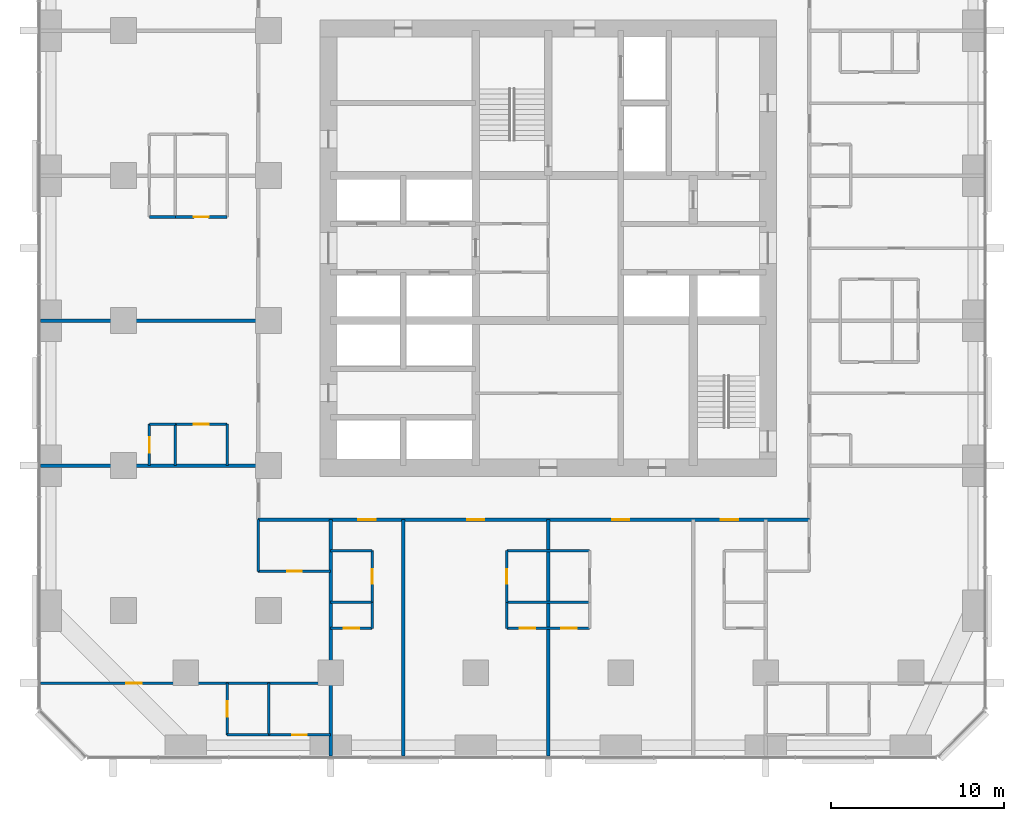
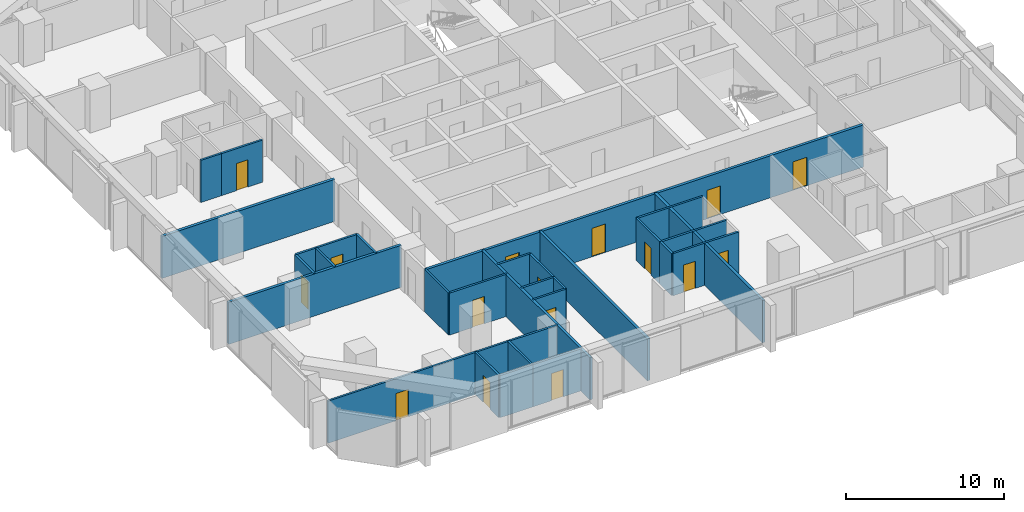
# One storey, part 8 of 14: 30 walls, 16 doors, 16 openings.
"""IFC4 building model written with IfcOpenShell, lengths in metres."""

import ifcopenshell
import ifcopenshell.guid

model = None  # the IFC model being written
_history = None  # IfcOwnerHistory: only IFC2X3 demands one
_inside = {}  # id of a spatial element -> (the spatial element, [elements in it])
_under = {}  # id of a project, library or spatial element -> (it, [spatial elements below it])
_declared = {}  # id of a project -> (the project, [libraries it declares])
_typed = {}  # id of a type object -> (the type object, [elements of that type])
_made_of = {}  # id of a material, layer set ... -> (it, [elements and type objects made of it])


def new_model(schema):
    """Start an empty IFC model of exactly this schema.

    Asked for "IFC4X3", IfcOpenShell would pick the latest addendum, in which some entities
    have other attributes; the version numbers below select the first issue.
    IFC2X3 requires an IfcOwnerHistory on every rooted entity: one is made here for all.
    """
    global model, _history
    if schema == "IFC4X3":
        model = ifcopenshell.file(schema_version=(4, 3, 0, 0))
    else:
        model = ifcopenshell.file(schema=schema)
    _inside.clear()
    _under.clear()
    _declared.clear()
    _typed.clear()
    _made_of.clear()
    _history = None
    if model.schema == "IFC2X3":
        org = make("IfcOrganization", Name="unknown")
        user = make(
            "IfcPersonAndOrganization",
            ThePerson=make("IfcPerson", FamilyName="unknown"),
            TheOrganization=org,
        )
        app = make(
            "IfcApplication",
            ApplicationDeveloper=org,
            Version="unknown",
            ApplicationFullName="unknown",
            ApplicationIdentifier="unknown",
        )
        _history = make(
            "IfcOwnerHistory",
            OwningUser=user,
            OwningApplication=app,
            ChangeAction="ADDED",
            CreationDate=0,
        )
    return model


def make(cls, **values):
    """One entity of the class cls with the attributes given. An attribute that is None is left unset."""
    return model.create_entity(
        cls, **{name: value for name, value in values.items() if value is not None}
    )


def rooted(cls, **values):
    """An entity with a GlobalId (a new one), such as an element, a storey or a relation."""
    return make(cls, GlobalId=ifcopenshell.guid.new(), OwnerHistory=_history, **values)


def si_unit(unit_type, name, prefix=None):
    """IfcSIUnit, for example si_unit("LENGTHUNIT", "METRE", prefix="MILLI")."""
    return make("IfcSIUnit", UnitType=unit_type, Prefix=prefix, Name=name)


def assignment(units):
    """IfcUnitAssignment: the units of a project."""
    return None if units is None else make("IfcUnitAssignment", Units=units)


def point(xyz):
    """IfcCartesianPoint."""
    return None if xyz is None else make("IfcCartesianPoint", Coordinates=xyz)


def direction(xyz):
    """IfcDirection."""
    return None if xyz is None else make("IfcDirection", DirectionRatios=xyz)


def frame(location, z_axis=None, x_axis=None):
    """IfcAxis2Placement3D, a coordinate frame: its origin and axes. An axis left out is left unset."""
    return make(
        "IfcAxis2Placement3D",
        Location=point(location),
        Axis=direction(z_axis),
        RefDirection=direction(x_axis),
    )


def frame_2d(location, x_axis=None):
    """IfcAxis2Placement2D, a coordinate frame in the plane: its origin and x axis."""
    return make(
        "IfcAxis2Placement2D", Location=point(location), RefDirection=direction(x_axis)
    )


def origin():
    """The frame at (0, 0, 0) with its axes left unset."""
    return frame((0.0, 0.0, 0.0))


def place(relative_to, where):
    """IfcLocalPlacement: puts the frame where relative to a parent placement (None: the world)."""
    return make(
        "IfcLocalPlacement", PlacementRelTo=relative_to, RelativePlacement=where
    )


def context(
    kind, dimensions, precision=None, world=None, true_north=None, identifier=None
):
    """IfcGeometricRepresentationContext, for example the 3D "Model" context."""
    return make(
        "IfcGeometricRepresentationContext",
        ContextIdentifier=identifier,
        ContextType=kind,
        CoordinateSpaceDimension=dimensions,
        Precision=precision,
        WorldCoordinateSystem=world,
        TrueNorth=true_north,
    )


def subcontext(parent, identifier, kind, view, scale=None):
    """IfcGeometricRepresentationSubContext, for example "Body" below "Model"."""
    return make(
        "IfcGeometricRepresentationSubContext",
        ContextIdentifier=identifier,
        ContextType=kind,
        ParentContext=parent,
        TargetScale=scale,
        TargetView=view,
    )


def project(units=None, contexts=None):
    """IfcProject with its units and contexts."""
    return rooted(
        "IfcProject",
        Name="project",
        RepresentationContexts=contexts,
        UnitsInContext=assignment(units),
    )


def spatial(cls, under=None, at=None, **own):
    """A site, building, storey or space (cls), placed at a placement, below another one or the project."""
    s = rooted(cls, ObjectPlacement=at, **own)
    if under is not None:
        _under.setdefault(under.id(), (under, []))[1].append(s)
    return s


def profile(cls, at=None, kind="AREA", **sizes):
    """A parametric profile (cls). Its sizes go by their IFC names, for example OverallWidth=200.0."""
    return make(cls, ProfileType=kind, Position=at, **sizes)


def rectangle(**sizes):
    """IfcRectangleProfileDef."""
    return profile("IfcRectangleProfileDef", **sizes)


def extrude(swept, where, along, depth):
    """IfcExtrudedAreaSolid: the profile swept, set in the frame where, extruded along a direction by depth."""
    return make(
        "IfcExtrudedAreaSolid",
        SweptArea=swept,
        Position=where,
        ExtrudedDirection=direction(along),
        Depth=depth,
    )


def shape(context_of_items, identifier, shape_type, items):
    """IfcShapeRepresentation: the items that make up one representation, for example the "Body"."""
    return make(
        "IfcShapeRepresentation",
        ContextOfItems=context_of_items,
        RepresentationIdentifier=identifier,
        RepresentationType=shape_type,
        Items=items,
    )


def material(Name=None, Category=None):
    """IfcMaterial."""
    return make("IfcMaterial", Name=Name, Category=Category)


def layer(
    of_material, thickness, ventilated=None, Name=None, Category=None, Priority=None
):
    """IfcMaterialLayer: one layer of a wall or slab, of a material (None: an air gap)."""
    return make(
        "IfcMaterialLayer",
        Material=of_material,
        LayerThickness=thickness,
        IsVentilated=ventilated,
        Name=Name,
        Category=Category,
        Priority=Priority,
    )


def layer_set(layers, Name=None):
    """IfcMaterialLayerSet."""
    return make("IfcMaterialLayerSet", MaterialLayers=layers, LayerSetName=Name)


def made_of(thing, what):
    """Note that an element or type object is made of a material, layer set ...; save() writes the relation."""
    if what is not None:
        _made_of.setdefault(what.id(), (what, []))[1].append(thing)
    return thing


def type_object(cls, material=None, **own):
    """A type object (cls), such as IfcWallType, which elements share."""
    return made_of(rooted(cls, **own), material)


def element(
    cls,
    number,
    at=None,
    inside=None,
    cuts=None,
    type_object=None,
    material=None,
    context=None,
    identifier="Body",
    shape_type=None,
    held_by="IfcProductDefinitionShape",
    body=None,
    shapes=None,
    **own,
):
    """One element of the class cls, such as IfcWall. Its Tag is "e" and its number.

    at: its placement. inside: the storey or other place that contains it. cuts: it is an
    opening in that element (IfcRelVoidsElement). A single representation is given by context,
    identifier, shape_type and body (its items); several are given by shapes. held_by: the class
    of the entity that holds the representations. save() writes the other relations.
    """
    e = rooted(cls, Tag="e%d" % number, ObjectPlacement=at, **own)
    if body is not None:
        shapes = [shape(context, identifier, shape_type, body)]
    if shapes is not None:
        e.Representation = make(held_by, Representations=shapes)
    if inside is not None:
        _inside.setdefault(inside.id(), (inside, []))[1].append(e)
    if cuts is not None:
        rooted(
            "IfcRelVoidsElement", RelatingBuildingElement=cuts, RelatedOpeningElement=e
        )
    if type_object is not None:
        _typed.setdefault(type_object.id(), (type_object, []))[1].append(e)
    return made_of(e, material)


def fill(opening, filler):
    """IfcRelFillsElement: the door or window that sits in an opening."""
    return rooted(
        "IfcRelFillsElement",
        RelatingOpeningElement=opening,
        RelatedBuildingElement=filler,
    )


def aggregate(whole, parts):
    """IfcRelAggregates: a whole, such as a stair, and the parts it consists of."""
    return rooted("IfcRelAggregates", RelatingObject=whole, RelatedObjects=parts)


def save(model, path):
    """Write the relations noted so far, then the file.

    IfcRelAggregates (storeys below a building ...), IfcRelContainedInSpatialStructure (elements
    in a storey), IfcRelDefinesByType, IfcRelAssociatesMaterial and IfcRelDeclares: one each for
    every whole, place, type object, material and project.
    """
    for whole, parts in _under.values():
        aggregate(whole, parts)
    for where, things in _inside.values():
        rooted(
            "IfcRelContainedInSpatialStructure",
            RelatedElements=things,
            RelatingStructure=where,
        )
    for kind, things in _typed.values():
        rooted("IfcRelDefinesByType", RelatedObjects=things, RelatingType=kind)
    for what, things in _made_of.values():
        rooted("IfcRelAssociatesMaterial", RelatedObjects=things, RelatingMaterial=what)
    for by, libraries in _declared.values():
        rooted("IfcRelDeclares", RelatingContext=by, RelatedDefinitions=libraries)
    model.write(path)


model = new_model("IFC4")

# Units and contexts
model_context = context("Model", 3, precision=1e-05, world=origin(), true_north=direction((0.0, 1.0)))
body_context = subcontext(model_context, "Body", "Model", "MODEL_VIEW")
ifc_project = project(units=[si_unit("LENGTHUNIT", "METRE"), si_unit("AREAUNIT", "SQUARE_METRE"), si_unit("VOLUMEUNIT", "CUBIC_METRE"), si_unit("PLANEANGLEUNIT", "RADIAN"), si_unit("MASSUNIT", "GRAM", prefix="KILO")], contexts=[model_context])

# Site, building, storey
site_placement = place(None, origin())
site = spatial("IfcSite", under=ifc_project, at=site_placement, CompositionType="ELEMENT")
building_placement = place(site_placement, origin())
building = spatial("IfcBuilding", under=site, at=building_placement, Name="Dunama Terrace Hotel", CompositionType="ELEMENT")
storey_placement = place(building_placement, frame((0.0, 0.0, 126.0)))
storey = spatial("IfcBuildingStorey", under=building, at=storey_placement, Name="L32", CompositionType="ELEMENT", Elevation=126.0)

# Walls
ifc_material_1 = material(Name="Gypsum board partition", Category="masonry")
ifc_layer_1 = layer(ifc_material_1, 0.14990234375)
ifc_layer_set_1 = layer_set([ifc_layer_1], Name="Bathroom partition 150")
wall_type_1 = type_object("IfcWallType", Name="Bathroom partition 150", PredefinedType="PARTITIONING", material=ifc_layer_set_1)
wall_1_placement = place(storey_placement, frame((10.800048828125, 16.800048828125, 0.0), z_axis=(0.0, 0.0, 1.0), x_axis=(0.0, 1.0, 0.0)))
element("IfcWall", 1, at=wall_1_placement, inside=storey, type_object=wall_type_1, Name="Bathroom partition 150 L32", PredefinedType="PARTITIONING", context=body_context, shape_type="SweptSolid", body=[
    extrude(rectangle(XDim=2.39990234375, YDim=0.14990234375, at=frame_2d((1.199951171875, 0.0))), origin(), (0.0, 0.0, 1.0), 3.25),
])
wall_2_placement = place(storey_placement, frame((12.60009765625, 10.675048828125, 0.0), z_axis=(0.0, 0.0, 1.0), x_axis=(0.0, 1.0, 0.0)))
element("IfcWall", 2, at=wall_2_placement, inside=storey, type_object=wall_type_1, Name="Bathroom partition 150 L32", PredefinedType="PARTITIONING", context=body_context, shape_type="SweptSolid", body=[
    extrude(rectangle(XDim=3.0, YDim=0.14990234375, at=frame_2d((1.5, 0.0))), origin(), (0.0, 0.0, 1.0), 3.25),
])

# Wall, opening, door
wall_3_placement = place(storey_placement, frame((19.199951171875, 8.875, 0.0), z_axis=(0.0, 0.0, 1.0), x_axis=(0.0, 1.0, 0.0)))
wall_3 = element("IfcWall", 3, at=wall_3_placement, inside=storey, type_object=wall_type_1, Name="Bathroom partition 150 L32", PredefinedType="PARTITIONING", context=body_context, shape_type="SweptSolid", body=[
    extrude(rectangle(XDim=3.0, YDim=0.14990234375, at=frame_2d((1.5, 0.0))), origin(), (0.0, 0.0, 1.0), 3.25),
])
opening_1_placement = place(wall_3_placement, frame((1.074951171875, 0.0, 0.0)))
opening_1 = element("IfcOpeningElement", 4, at=opening_1_placement, cuts=wall_3, Name="Opening L31-33-012", PredefinedType="OPENING", context=body_context, shape_type="SweptSolid", body=[
    extrude(rectangle(XDim=0.85009765625, YDim=2.10009765625, at=frame_2d((0.425048828125, 1.050048828125))), frame((0.0, 0.0849609375, 0.0), z_axis=(0.0, -1.0, 0.0), x_axis=(1.0, 0.0, 0.0)), (0.0, 0.0, 1.0), 0.169921875),
])
ifc_material_2 = material(Name="Timber door with steel frame", Category="steel")
door_type_1 = type_object("IfcDoorType", Name="Bathroom door 850", OperationType="SINGLE_SWING_LEFT", PredefinedType="DOOR", material=ifc_material_2)
door_1_placement = place(opening_1_placement, origin())
door_1 = element("IfcDoor", 5, at=door_1_placement, inside=storey, type_object=door_type_1, Name="Door to en-suite bathroom L31-33-012, type D2", OperationType="SINGLE_SWING_LEFT", OverallHeight=2.10009765625, OverallWidth=0.85009765625, PredefinedType="DOOR", context=body_context, shape_type="SweptSolid", body=[
    extrude(rectangle(XDim=0.85009765625, YDim=2.10009765625, at=frame_2d((0.425048828125, 1.050048828125))), frame((0.0, 0.02490234375, 0.0), z_axis=(0.0, -1.0, 0.0), x_axis=(1.0, 0.0, 0.0)), (0.0, 0.0, 1.0), 0.050048828125),
])
fill(opening_1, door_1)

wall_4_placement = place(storey_placement, frame((27.0, 8.875, 0.0), z_axis=(0.0, 0.0, 1.0), x_axis=(0.0, 1.0, 0.0)))
wall_4 = element("IfcWall", 6, at=wall_4_placement, inside=storey, type_object=wall_type_1, Name="Bathroom partition 150 L32", PredefinedType="PARTITIONING", context=body_context, shape_type="SweptSolid", body=[
    extrude(rectangle(XDim=3.0, YDim=0.14990234375, at=frame_2d((1.5, 0.0))), origin(), (0.0, 0.0, 1.0), 3.25),
])
opening_2_placement = place(wall_4_placement, frame((1.074951171875, 0.0, 0.0)))
opening_2 = element("IfcOpeningElement", 7, at=opening_2_placement, cuts=wall_4, Name="Opening L31-33-015", PredefinedType="OPENING", context=body_context, shape_type="SweptSolid", body=[
    extrude(rectangle(XDim=0.85009765625, YDim=2.10009765625, at=frame_2d((0.425048828125, 1.050048828125))), frame((0.0, 0.0849609375, 0.0), z_axis=(0.0, -1.0, 0.0), x_axis=(1.0, 0.0, 0.0)), (0.0, 0.0, 1.0), 0.169921875),
])
door_2_placement = place(opening_2_placement, frame((0.85009765625, 0.0, 0.0), z_axis=(0.0, 0.0, 1.0), x_axis=(-1.0, 0.0, 0.0)))
door_2 = element("IfcDoor", 8, at=door_2_placement, inside=storey, type_object=door_type_1, Name="Door to en-suite bathroom L31-33-015, type D2", OperationType="SINGLE_SWING_RIGHT", OverallHeight=2.10009765625, OverallWidth=0.85009765625, PredefinedType="DOOR", context=body_context, shape_type="SweptSolid", body=[
    extrude(rectangle(XDim=0.85009765625, YDim=2.10009765625, at=frame_2d((0.425048828125, 1.050048828125))), frame((0.0, 0.025146484375, 0.0), z_axis=(0.0, -1.0, 0.0), x_axis=(1.0, 0.0, 0.0)), (0.0, 0.0, 1.0), 0.050048828125),
])
fill(opening_2, door_2)

wall_5_placement = place(storey_placement, frame((13.199951171875, 1.199951171875, 0.0), z_axis=(0.0, 0.0, 1.0), x_axis=(1.0, 0.0, 0.0)))
wall_5 = element("IfcWall", 9, at=wall_5_placement, inside=storey, type_object=wall_type_1, Name="Bathroom partition 150 L32", PredefinedType="PARTITIONING", context=body_context, shape_type="SweptSolid", body=[
    extrude(rectangle(XDim=3.60009765625, YDim=0.14990234375, at=frame_2d((1.800048828125, 0.0))), origin(), (0.0, 0.0, 1.0), 3.25),
])
opening_3_placement = place(wall_5_placement, frame((1.375, 0.0, 0.0)))
opening_3 = element("IfcOpeningElement", 10, at=opening_3_placement, cuts=wall_5, Name="Opening L31-33-065", PredefinedType="OPENING", context=body_context, shape_type="SweptSolid", body=[
    extrude(rectangle(XDim=0.85009765625, YDim=2.10009765625, at=frame_2d((0.425048828125, 1.050048828125))), frame((0.0, 0.0849609375, 0.0), z_axis=(0.0, -1.0, 0.0), x_axis=(1.0, 0.0, 0.0)), (0.0, 0.0, 1.0), 0.169921875),
])
door_3_placement = place(opening_3_placement, origin())
door_3 = element("IfcDoor", 11, at=door_3_placement, inside=storey, type_object=door_type_1, Name="Door to en-suite bathroom L31-33-065, type D2", OperationType="SINGLE_SWING_RIGHT", OverallHeight=2.10009765625, OverallWidth=0.85009765625, PredefinedType="DOOR", context=body_context, shape_type="SweptSolid", body=[
    extrude(rectangle(XDim=0.85009765625, YDim=2.10009765625, at=frame_2d((0.425048828125, 1.050048828125))), frame((0.0, 0.02490234375, 0.0), z_axis=(0.0, -1.0, 0.0), x_axis=(1.0, 0.0, 0.0)), (0.0, 0.0, 1.0), 0.050048828125),
])
fill(opening_3, door_3)

wall_6_placement = place(storey_placement, frame((12.60009765625, 10.675048828125, 0.0), z_axis=(0.0, 0.0, 1.0), x_axis=(1.0, 0.0, 0.0)))
wall_6 = element("IfcWall", 12, at=wall_6_placement, inside=storey, type_object=wall_type_1, Name="Bathroom partition 150 L32", PredefinedType="PARTITIONING", context=body_context, shape_type="SweptSolid", body=[
    extrude(rectangle(XDim=4.199951171875, YDim=0.14990234375, at=frame_2d((2.10009765625, 0.0))), origin(), (0.0, 0.0, 1.0), 3.25),
])
opening_4_placement = place(wall_6_placement, frame((1.675048828125, 0.0, 0.0)))
opening_4 = element("IfcOpeningElement", 13, at=opening_4_placement, cuts=wall_6, Name="Opening L31-33-063", PredefinedType="OPENING", context=body_context, shape_type="SweptSolid", body=[
    extrude(rectangle(XDim=0.85009765625, YDim=2.10009765625, at=frame_2d((0.425048828125, 1.050048828125))), frame((0.0, 0.0849609375, 0.0), z_axis=(0.0, -1.0, 0.0), x_axis=(1.0, 0.0, 0.0)), (0.0, 0.0, 1.0), 0.169921875),
])
door_4_placement = place(opening_4_placement, origin())
door_4 = element("IfcDoor", 14, at=door_4_placement, inside=storey, type_object=door_type_1, Name="Door to powder room L31-33-063, type D2", OperationType="SINGLE_SWING_LEFT", OverallHeight=2.10009765625, OverallWidth=0.85009765625, PredefinedType="DOOR", context=body_context, shape_type="SweptSolid", body=[
    extrude(rectangle(XDim=0.85009765625, YDim=2.10009765625, at=frame_2d((0.425048828125, 1.050048828125))), frame((0.0, 0.02490234375, 0.0), z_axis=(0.0, -1.0, 0.0), x_axis=(1.0, 0.0, 0.0)), (0.0, 0.0, 1.0), 0.050048828125),
])
fill(opening_4, door_4)

# Walls
wall_7_placement = place(storey_placement, frame((16.800048828125, 11.875, 0.0), z_axis=(0.0, 0.0, 1.0), x_axis=(1.0, 0.0, 0.0)))
element("IfcWall", 15, at=wall_7_placement, inside=storey, type_object=wall_type_1, Name="Bathroom partition 150 L32", PredefinedType="PARTITIONING", context=body_context, shape_type="SweptSolid", body=[
    extrude(rectangle(XDim=2.39990234375, YDim=0.14990234375, at=frame_2d((1.199951171875, 0.0))), origin(), (0.0, 0.0, 1.0), 3.25),
])
wall_8_placement = place(storey_placement, frame((27.0, 11.875, 0.0), z_axis=(0.0, 0.0, 1.0), x_axis=(1.0, 0.0, 0.0)))
element("IfcWall", 16, at=wall_8_placement, inside=storey, type_object=wall_type_1, Name="Bathroom partition 150 L32", PredefinedType="PARTITIONING", context=body_context, shape_type="SweptSolid", body=[
    extrude(rectangle(XDim=4.800048828125, YDim=0.14990234375, at=frame_2d((2.39990234375, 0.0))), origin(), (0.0, 0.0, 1.0), 3.25),
])

# Wall, opening, door
wall_9_placement = place(storey_placement, frame((7.800048828125, 19.199951171875, 0.0), z_axis=(0.0, 0.0, 1.0), x_axis=(1.0, 0.0, 0.0)))
wall_9 = element("IfcWall", 17, at=wall_9_placement, inside=storey, type_object=wall_type_1, Name="Bathroom partition 150 L32", PredefinedType="PARTITIONING", context=body_context, shape_type="SweptSolid", body=[
    extrude(rectangle(XDim=3.0, YDim=0.14990234375, at=frame_2d((1.5, 0.0))), origin(), (0.0, 0.0, 1.0), 3.25),
])
opening_5_placement = place(wall_9_placement, frame((1.074951171875, 0.0, 0.0)))
opening_5 = element("IfcOpeningElement", 18, at=opening_5_placement, cuts=wall_9, Name="Opening L31-33-054", PredefinedType="OPENING", context=body_context, shape_type="SweptSolid", body=[
    extrude(rectangle(XDim=0.85009765625, YDim=2.10009765625, at=frame_2d((0.425048828125, 1.050048828125))), frame((0.0, 0.0849609375, 0.0), z_axis=(0.0, -1.0, 0.0), x_axis=(1.0, 0.0, 0.0)), (0.0, 0.0, 1.0), 0.169921875),
])
door_5_placement = place(opening_5_placement, frame((0.85009765625, 0.0, 0.0), z_axis=(0.0, 0.0, 1.0), x_axis=(-1.0, 0.0, 0.0)))
door_5 = element("IfcDoor", 19, at=door_5_placement, inside=storey, type_object=door_type_1, Name="Door to en-suite bathroom L31-33-054, type D2", OperationType="SINGLE_SWING_RIGHT", OverallHeight=2.10009765625, OverallWidth=0.85009765625, PredefinedType="DOOR", context=body_context, shape_type="SweptSolid", body=[
    extrude(rectangle(XDim=0.85009765625, YDim=2.10009765625, at=frame_2d((0.425048828125, 1.050048828125))), frame((0.0, 0.025146484375, 0.0), z_axis=(0.0, -1.0, 0.0), x_axis=(1.0, 0.0, 0.0)), (0.0, 0.0, 1.0), 0.050048828125),
])
fill(opening_5, door_5)

wall_10_placement = place(storey_placement, frame((7.800048828125, 31.199951171875, 0.0), z_axis=(0.0, 0.0, 1.0), x_axis=(1.0, 0.0, 0.0)))
wall_10 = element("IfcWall", 20, at=wall_10_placement, inside=storey, type_object=wall_type_1, Name="Bathroom partition 150 L32", PredefinedType="PARTITIONING", context=body_context, shape_type="SweptSolid", body=[
    extrude(rectangle(XDim=3.0, YDim=0.14990234375, at=frame_2d((1.5, 0.0))), origin(), (0.0, 0.0, 1.0), 3.25),
])
opening_6_placement = place(wall_10_placement, frame((1.074951171875, 0.0, 0.0)))
opening_6 = element("IfcOpeningElement", 21, at=opening_6_placement, cuts=wall_10, Name="Opening L31-33-057", PredefinedType="OPENING", context=body_context, shape_type="SweptSolid", body=[
    extrude(rectangle(XDim=0.85009765625, YDim=2.10009765625, at=frame_2d((0.425048828125, 1.050048828125))), frame((0.0, 0.0849609375, 0.0), z_axis=(0.0, -1.0, 0.0), x_axis=(1.0, 0.0, 0.0)), (0.0, 0.0, 1.0), 0.169921875),
])
door_6_placement = place(opening_6_placement, origin())
door_6 = element("IfcDoor", 22, at=door_6_placement, inside=storey, type_object=door_type_1, Name="Door to en-suite bathroom L31-33-057, type D2", OperationType="SINGLE_SWING_LEFT", OverallHeight=2.10009765625, OverallWidth=0.85009765625, PredefinedType="DOOR", context=body_context, shape_type="SweptSolid", body=[
    extrude(rectangle(XDim=0.85009765625, YDim=2.10009765625, at=frame_2d((0.425048828125, 1.050048828125))), frame((0.0, 0.02490234375, 0.0), z_axis=(0.0, -1.0, 0.0), x_axis=(1.0, 0.0, 0.0)), (0.0, 0.0, 1.0), 0.050048828125),
])
fill(opening_6, door_6)

# Wall, openings, doors
ifc_material_3 = material(Name="Concrete blockwork", Category="masonry")
ifc_layer_2 = layer(ifc_material_3, 0.199951171875)
ifc_layer_set_2 = layer_set([ifc_layer_2], Name="Corridor partition 200")
wall_type_2 = type_object("IfcWallType", Name="Corridor partition 200", PredefinedType="PARTITIONING", material=ifc_layer_set_2)
wall_11_placement = place(storey_placement, frame((44.52490234375, 13.675048828125, 0.0), z_axis=(0.0, 0.0, 1.0), x_axis=(-1.0, 0.0, 0.0)))
wall_11 = element("IfcWall", 23, at=wall_11_placement, inside=storey, type_object=wall_type_2, Name="Corridor partition 200 L32", PredefinedType="PARTITIONING", context=body_context, shape_type="SweptSolid", body=[
    extrude(rectangle(XDim=31.9248046875, YDim=0.199951171875, at=frame_2d((15.96240234375, 0.0))), origin(), (0.0, 0.0, 1.0), 3.25),
])
opening_7_placement = place(wall_11_placement, frame((25.125, 0.0, 0.0)))
opening_7 = element("IfcOpeningElement", 24, at=opening_7_placement, cuts=wall_11, Name="Opening L31-33-011", PredefinedType="OPENING", context=body_context, shape_type="SweptSolid", body=[
    extrude(rectangle(XDim=1.0, YDim=2.199951171875, at=frame_2d((0.5, 1.10009765625))), frame((0.0, 0.10986328125, 0.0), z_axis=(0.0, -1.0, 0.0), x_axis=(1.0, 0.0, 0.0)), (0.0, 0.0, 1.0), 0.219970703125),
])
opening_8_placement = place(wall_11_placement, frame((18.824951171875, 0.0, 0.0)))
opening_8 = element("IfcOpeningElement", 25, at=opening_8_placement, cuts=wall_11, Name="Opening L31-33-014", PredefinedType="OPENING", context=body_context, shape_type="SweptSolid", body=[
    extrude(rectangle(XDim=1.0, YDim=2.199951171875, at=frame_2d((0.5, 1.10009765625))), frame((0.0, 0.10986328125, 0.0), z_axis=(0.0, -1.0, 0.0), x_axis=(1.0, 0.0, 0.0)), (0.0, 0.0, 1.0), 0.219970703125),
])
opening_9_placement = place(wall_11_placement, frame((10.425048828125, 0.0, 0.0)))
opening_9 = element("IfcOpeningElement", 26, at=opening_9_placement, cuts=wall_11, Name="Opening L31-33-017", PredefinedType="OPENING", context=body_context, shape_type="SweptSolid", body=[
    extrude(rectangle(XDim=1.0, YDim=2.199951171875, at=frame_2d((0.5, 1.10009765625))), frame((0.0, 0.10986328125, 0.0), z_axis=(0.0, -1.0, 0.0), x_axis=(1.0, 0.0, 0.0)), (0.0, 0.0, 1.0), 0.219970703125),
])
opening_10_placement = place(wall_11_placement, frame((4.125, 0.0, 0.0)))
opening_10 = element("IfcOpeningElement", 27, at=opening_10_placement, cuts=wall_11, Name="Opening L31-33-020", PredefinedType="OPENING", context=body_context, shape_type="SweptSolid", body=[
    extrude(rectangle(XDim=1.0, YDim=2.199951171875, at=frame_2d((0.5, 1.10009765625))), frame((0.0, 0.10986328125, 0.0), z_axis=(0.0, -1.0, 0.0), x_axis=(1.0, 0.0, 0.0)), (0.0, 0.0, 1.0), 0.219970703125),
])
ifc_material_4 = material(Name="Timber door with steel frame", Category="steel")
door_type_2 = type_object("IfcDoorType", Name="Guest room door 1000", OperationType="SINGLE_SWING_LEFT", PredefinedType="DOOR", material=ifc_material_4)
door_7_placement = place(opening_7_placement, origin())
door_7 = element("IfcDoor", 28, at=door_7_placement, inside=storey, type_object=door_type_2, Name="Door to premier room L31-33-011, type D1", OperationType="SINGLE_SWING_RIGHT", OverallHeight=2.199951171875, OverallWidth=1.0, PredefinedType="DOOR", context=body_context, shape_type="SweptSolid", body=[
    extrude(rectangle(XDim=1.0, YDim=2.199951171875, at=frame_2d((0.5, 1.10009765625))), frame((0.0, 0.02490234375, 0.0), z_axis=(0.0, -1.0, 0.0), x_axis=(1.0, 0.0, 0.0)), (0.0, 0.0, 1.0), 0.050048828125),
])
fill(opening_7, door_7)
door_8_placement = place(opening_8_placement, origin())
door_8 = element("IfcDoor", 29, at=door_8_placement, inside=storey, type_object=door_type_2, Name="Door to junior suite L31-33-014, type D1", OperationType="SINGLE_SWING_LEFT", OverallHeight=2.199951171875, OverallWidth=1.0, PredefinedType="DOOR", context=body_context, shape_type="SweptSolid", body=[
    extrude(rectangle(XDim=1.0, YDim=2.199951171875, at=frame_2d((0.5, 1.10009765625))), frame((0.0, 0.02490234375, 0.0), z_axis=(0.0, -1.0, 0.0), x_axis=(1.0, 0.0, 0.0)), (0.0, 0.0, 1.0), 0.050048828125),
])
fill(opening_8, door_8)
door_9_placement = place(opening_9_placement, origin())
door_9 = element("IfcDoor", 30, at=door_9_placement, inside=storey, type_object=door_type_2, Name="Door to junior suite L31-33-017, type D1", OperationType="SINGLE_SWING_RIGHT", OverallHeight=2.199951171875, OverallWidth=1.0, PredefinedType="DOOR", context=body_context, shape_type="SweptSolid", body=[
    extrude(rectangle(XDim=1.0, YDim=2.199951171875, at=frame_2d((0.5, 1.10009765625))), frame((0.0, 0.02490234375, 0.0), z_axis=(0.0, -1.0, 0.0), x_axis=(1.0, 0.0, 0.0)), (0.0, 0.0, 1.0), 0.050048828125),
])
fill(opening_9, door_9)
door_10_placement = place(opening_10_placement, origin())
door_10 = element("IfcDoor", 31, at=door_10_placement, inside=storey, type_object=door_type_2, Name="Door to premier room L31-33-020, type D1", OperationType="SINGLE_SWING_LEFT", OverallHeight=2.199951171875, OverallWidth=1.0, PredefinedType="DOOR", context=body_context, shape_type="SweptSolid", body=[
    extrude(rectangle(XDim=1.0, YDim=2.199951171875, at=frame_2d((0.5, 1.10009765625))), frame((0.0, 0.02490234375, 0.0), z_axis=(0.0, -1.0, 0.0), x_axis=(1.0, 0.0, 0.0)), (0.0, 0.0, 1.0), 0.050048828125),
])
fill(opening_10, door_10)

# Walls
ifc_material_5 = material(Name="Concrete blockwork", Category="masonry")
ifc_layer_3 = layer(ifc_material_5, 0.199951171875)
ifc_layer_set_3 = layer_set([ifc_layer_3], Name="Party wall 200")
wall_type_3 = type_object("IfcWallType", Name="Party wall 200", PredefinedType="PARTITIONING", material=ifc_layer_set_3)
for number, where, z_axis, x_axis, name in (
    (32, (16.800048828125, -0.01806640625, 0.0), (0.0, 0.0, 1.0), (0.0, 1.0, 0.0), "Party wall 200 L32"),
    (33, (21.0, -0.01806640625, 0.0), (0.0, 0.0, 1.0), (0.0, 1.0, 0.0), "Party wall 200 L32"),
    (34, (29.39990234375, -0.01806640625, 0.0), (0.0, 0.0, 1.0), (0.0, 1.0, 0.0), "Party wall 200 L32"),
):
    element("IfcWall", number, at=place(storey_placement, frame(where, z_axis=z_axis, x_axis=x_axis)), inside=storey, type_object=wall_type_3, Name=name, PredefinedType="PARTITIONING", context=body_context, shape_type="SweptSolid", body=[
        extrude(rectangle(XDim=13.693115234375, YDim=0.199951171875, at=frame_2d((6.8466796875, 0.0))), origin(), (0.0, 0.0, 1.0), 3.25),
    ])
for number, where, z_axis, x_axis, name in (
    (35, (-0.01806640625, 16.800048828125, 0.0), (0.0, 0.0, 1.0), (1.0, 0.0, 0.0), "Party wall 200 L32"),
    (36, (-0.01806640625, 25.199951171875, 0.0), (0.0, 0.0, 1.0), (1.0, 0.0, 0.0), "Party wall 200 L32"),
):
    element("IfcWall", number, at=place(storey_placement, frame(where, z_axis=z_axis, x_axis=x_axis)), inside=storey, type_object=wall_type_3, Name=name, PredefinedType="PARTITIONING", context=body_context, shape_type="SweptSolid", body=[
        extrude(rectangle(XDim=12.6181640625, YDim=0.199951171875, at=frame_2d((6.30908203125, 0.0))), origin(), (0.0, 0.0, 1.0), 3.25),
    ])

# Wall, opening, door
ifc_material_6 = material(Name="Gypsum board partition", Category="masonry")
ifc_layer_4 = layer(ifc_material_6, 0.14990234375)
ifc_layer_set_4 = layer_set([ifc_layer_4], Name="Room partition 150")
wall_type_4 = type_object("IfcWallType", Name="Room partition 150", PredefinedType="PARTITIONING", material=ifc_layer_set_4)
wall_12_placement = place(storey_placement, frame((6.300048828125, 16.800048828125, 0.0), z_axis=(0.0, 0.0, 1.0), x_axis=(0.0, 1.0, 0.0)))
wall_12 = element("IfcWall", 37, at=wall_12_placement, inside=storey, type_object=wall_type_4, Name="Room partition 150 L32", PredefinedType="PARTITIONING", context=body_context, shape_type="SweptSolid", body=[
    extrude(rectangle(XDim=2.39990234375, YDim=0.14990234375, at=frame_2d((1.199951171875, 0.0))), origin(), (0.0, 0.0, 1.0), 3.25),
])
opening_11_placement = place(wall_12_placement, frame((0.75, 0.0, 0.0)))
opening_11 = element("IfcOpeningElement", 38, at=opening_11_placement, cuts=wall_12, Name="Opening L31-33-055", PredefinedType="OPENING", context=body_context, shape_type="SweptSolid", body=[
    extrude(rectangle(XDim=0.89990234375, YDim=2.10009765625, at=frame_2d((0.449951171875, 1.050048828125))), frame((0.0, 0.0849609375, 0.0), z_axis=(0.0, -1.0, 0.0), x_axis=(1.0, 0.0, 0.0)), (0.0, 0.0, 1.0), 0.169921875),
])
ifc_material_7 = material(Name="Timber door with steel frame", Category="steel")
door_type_3 = type_object("IfcDoorType", Name="Suite internal door 900", OperationType="SINGLE_SWING_LEFT", PredefinedType="DOOR", material=ifc_material_7)
door_11_placement = place(opening_11_placement, frame((0.89990234375, 0.0, 0.0), z_axis=(0.0, 0.0, 1.0), x_axis=(-1.0, 0.0, 0.0)))
door_11 = element("IfcDoor", 39, at=door_11_placement, inside=storey, type_object=door_type_3, Name="Door to walk-in wardrobe L31-33-055, type D16", OperationType="SINGLE_SWING_RIGHT", OverallHeight=2.10009765625, OverallWidth=0.89990234375, PredefinedType="DOOR", context=body_context, shape_type="SweptSolid", body=[
    extrude(rectangle(XDim=0.89990234375, YDim=2.10009765625, at=frame_2d((0.449951171875, 1.050048828125))), frame((0.0, 0.025146484375, 0.0), z_axis=(0.0, -1.0, 0.0), x_axis=(1.0, 0.0, 0.0)), (0.0, 0.0, 1.0), 0.050048828125),
])
fill(opening_11, door_11)

# Wall
wall_13_placement = place(storey_placement, frame((7.800048828125, 16.800048828125, 0.0), z_axis=(0.0, 0.0, 1.0), x_axis=(0.0, 1.0, 0.0)))
element("IfcWall", 40, at=wall_13_placement, inside=storey, type_object=wall_type_4, Name="Room partition 150 L32", PredefinedType="PARTITIONING", context=body_context, shape_type="SweptSolid", body=[
    extrude(rectangle(XDim=2.39990234375, YDim=0.14990234375, at=frame_2d((1.199951171875, 0.0))), origin(), (0.0, 0.0, 1.0), 3.25),
])

# Wall, opening, door
wall_14_placement = place(storey_placement, frame((10.800048828125, 1.199951171875, 0.0), z_axis=(0.0, 0.0, 1.0), x_axis=(0.0, 1.0, 0.0)))
wall_14 = element("IfcWall", 41, at=wall_14_placement, inside=storey, type_object=wall_type_4, Name="Room partition 150 L32", PredefinedType="PARTITIONING", context=body_context, shape_type="SweptSolid", body=[
    extrude(rectangle(XDim=3.0, YDim=0.14990234375, at=frame_2d((1.5, 0.0))), origin(), (0.0, 0.0, 1.0), 3.25),
])
opening_12_placement = place(wall_14_placement, frame((1.050048828125, 0.0, 0.0)))
opening_12 = element("IfcOpeningElement", 42, at=opening_12_placement, cuts=wall_14, Name="Opening L31-33-066", PredefinedType="OPENING", context=body_context, shape_type="SweptSolid", body=[
    extrude(rectangle(XDim=0.89990234375, YDim=2.10009765625, at=frame_2d((0.449951171875, 1.050048828125))), frame((0.0, 0.0849609375, 0.0), z_axis=(0.0, -1.0, 0.0), x_axis=(1.0, 0.0, 0.0)), (0.0, 0.0, 1.0), 0.169921875),
])
door_12_placement = place(opening_12_placement, frame((0.89990234375, 0.0, 0.0), z_axis=(0.0, 0.0, 1.0), x_axis=(-1.0, 0.0, 0.0)))
door_12 = element("IfcDoor", 43, at=door_12_placement, inside=storey, type_object=door_type_3, Name="Door to dressing room L31-33-066, type D16", OperationType="SINGLE_SWING_LEFT", OverallHeight=2.10009765625, OverallWidth=0.89990234375, PredefinedType="DOOR", context=body_context, shape_type="SweptSolid", body=[
    extrude(rectangle(XDim=0.89990234375, YDim=2.10009765625, at=frame_2d((0.449951171875, 1.050048828125))), frame((0.0, 0.025146484375, 0.0), z_axis=(0.0, -1.0, 0.0), x_axis=(1.0, 0.0, 0.0)), (0.0, 0.0, 1.0), 0.050048828125),
])
fill(opening_12, door_12)

# Walls
wall_15_placement = place(storey_placement, frame((13.199951171875, 1.199951171875, 0.0), z_axis=(0.0, 0.0, 1.0), x_axis=(0.0, 1.0, 0.0)))
element("IfcWall", 44, at=wall_15_placement, inside=storey, type_object=wall_type_4, Name="Room partition 150 L32", PredefinedType="PARTITIONING", context=body_context, shape_type="SweptSolid", body=[
    extrude(rectangle(XDim=3.0, YDim=0.14990234375, at=frame_2d((1.5, 0.0))), origin(), (0.0, 0.0, 1.0), 3.25),
])
for number, where, z_axis, x_axis, name in (
    (45, (19.199951171875, 7.375, 0.0), (0.0, 0.0, 1.0), (0.0, 1.0, 0.0), "Room partition 150 L32"),
    (46, (27.0, 7.375, 0.0), (0.0, 0.0, 1.0), (0.0, 1.0, 0.0), "Room partition 150 L32"),
):
    element("IfcWall", number, at=place(storey_placement, frame(where, z_axis=z_axis, x_axis=x_axis)), inside=storey, type_object=wall_type_4, Name=name, PredefinedType="PARTITIONING", context=body_context, shape_type="SweptSolid", body=[
        extrude(rectangle(XDim=1.5, YDim=0.14990234375, at=frame_2d((0.75, 0.0))), origin(), (0.0, 0.0, 1.0), 3.25),
    ])
wall_16_placement = place(storey_placement, frame((10.800048828125, 1.199951171875, 0.0), z_axis=(0.0, 0.0, 1.0), x_axis=(1.0, 0.0, 0.0)))
element("IfcWall", 47, at=wall_16_placement, inside=storey, type_object=wall_type_4, Name="Room partition 150 L32", PredefinedType="PARTITIONING", context=body_context, shape_type="SweptSolid", body=[
    extrude(rectangle(XDim=2.39990234375, YDim=0.14990234375, at=frame_2d((1.199951171875, 0.0))), origin(), (0.0, 0.0, 1.0), 3.25),
])

# Wall, opening, door
wall_17_placement = place(storey_placement, frame((-0.01806640625, 4.199951171875, 0.0), z_axis=(0.0, 0.0, 1.0), x_axis=(1.0, 0.0, 0.0)))
wall_17 = element("IfcWall", 48, at=wall_17_placement, inside=storey, type_object=wall_type_4, Name="Room partition 150 L32", PredefinedType="PARTITIONING", context=body_context, shape_type="SweptSolid", body=[
    extrude(rectangle(XDim=16.818115234375, YDim=0.14990234375, at=frame_2d((8.4091796875, 0.0))), origin(), (0.0, 0.0, 1.0), 3.25),
])
opening_13_placement = place(wall_17_placement, frame((4.968017578125, 0.0, 0.0)))
opening_13 = element("IfcOpeningElement", 49, at=opening_13_placement, cuts=wall_17, Name="Opening L31-33-064", PredefinedType="OPENING", context=body_context, shape_type="SweptSolid", body=[
    extrude(rectangle(XDim=0.89990234375, YDim=2.10009765625, at=frame_2d((0.449951171875, 1.050048828125))), frame((0.0, 0.0849609375, 0.0), z_axis=(0.0, -1.0, 0.0), x_axis=(1.0, 0.0, 0.0)), (0.0, 0.0, 1.0), 0.169921875),
])
door_13_placement = place(opening_13_placement, frame((0.89990234375, 0.0, 0.0), z_axis=(0.0, 0.0, 1.0), x_axis=(-1.0, 0.0, 0.0)))
door_13 = element("IfcDoor", 50, at=door_13_placement, inside=storey, type_object=door_type_3, Name="Door to corner suite bedroom L31-33-064, type D16", OperationType="SINGLE_SWING_LEFT", OverallHeight=2.10009765625, OverallWidth=0.89990234375, PredefinedType="DOOR", context=body_context, shape_type="SweptSolid", body=[
    extrude(rectangle(XDim=0.89990234375, YDim=2.10009765625, at=frame_2d((0.449951171875, 1.050048828125))), frame((0.0, 0.025146484375, 0.0), z_axis=(0.0, -1.0, 0.0), x_axis=(1.0, 0.0, 0.0)), (0.0, 0.0, 1.0), 0.050048828125),
])
fill(opening_13, door_13)

wall_18_placement = place(storey_placement, frame((16.800048828125, 7.375, 0.0), z_axis=(0.0, 0.0, 1.0), x_axis=(1.0, 0.0, 0.0)))
wall_18 = element("IfcWall", 51, at=wall_18_placement, inside=storey, type_object=wall_type_4, Name="Room partition 150 L32", PredefinedType="PARTITIONING", context=body_context, shape_type="SweptSolid", body=[
    extrude(rectangle(XDim=2.39990234375, YDim=0.14990234375, at=frame_2d((1.199951171875, 0.0))), origin(), (0.0, 0.0, 1.0), 3.25),
])
opening_14_placement = place(wall_18_placement, frame((0.75, 0.0, 0.0)))
opening_14 = element("IfcOpeningElement", 52, at=opening_14_placement, cuts=wall_18, Name="Opening L31-33-013", PredefinedType="OPENING", context=body_context, shape_type="SweptSolid", body=[
    extrude(rectangle(XDim=0.89990234375, YDim=2.10009765625, at=frame_2d((0.449951171875, 1.050048828125))), frame((0.0, 0.0849609375, 0.0), z_axis=(0.0, -1.0, 0.0), x_axis=(1.0, 0.0, 0.0)), (0.0, 0.0, 1.0), 0.169921875),
])
door_14_placement = place(opening_14_placement, origin())
door_14 = element("IfcDoor", 53, at=door_14_placement, inside=storey, type_object=door_type_3, Name="Door to walk-in wardrobe L31-33-013, type D16", OperationType="SINGLE_SWING_LEFT", OverallHeight=2.10009765625, OverallWidth=0.89990234375, PredefinedType="DOOR", context=body_context, shape_type="SweptSolid", body=[
    extrude(rectangle(XDim=0.89990234375, YDim=2.10009765625, at=frame_2d((0.449951171875, 1.050048828125))), frame((0.0, 0.02490234375, 0.0), z_axis=(0.0, -1.0, 0.0), x_axis=(1.0, 0.0, 0.0)), (0.0, 0.0, 1.0), 0.050048828125),
])
fill(opening_14, door_14)

# Wall, openings, doors
wall_19_placement = place(storey_placement, frame((27.0, 7.375, 0.0), z_axis=(0.0, 0.0, 1.0), x_axis=(1.0, 0.0, 0.0)))
wall_19 = element("IfcWall", 54, at=wall_19_placement, inside=storey, type_object=wall_type_4, Name="Room partition 150 L32", PredefinedType="PARTITIONING", context=body_context, shape_type="SweptSolid", body=[
    extrude(rectangle(XDim=4.800048828125, YDim=0.14990234375, at=frame_2d((2.39990234375, 0.0))), origin(), (0.0, 0.0, 1.0), 3.25),
])
opening_15_placement = place(wall_19_placement, frame((0.75, 0.0, 0.0)))
opening_15 = element("IfcOpeningElement", 55, at=opening_15_placement, cuts=wall_19, Name="Opening L31-33-016", PredefinedType="OPENING", context=body_context, shape_type="SweptSolid", body=[
    extrude(rectangle(XDim=0.89990234375, YDim=2.10009765625, at=frame_2d((0.449951171875, 1.050048828125))), frame((0.0, 0.0849609375, 0.0), z_axis=(0.0, -1.0, 0.0), x_axis=(1.0, 0.0, 0.0)), (0.0, 0.0, 1.0), 0.169921875),
])
opening_16_placement = place(wall_19_placement, frame((3.14990234375, 0.0, 0.0)))
opening_16 = element("IfcOpeningElement", 56, at=opening_16_placement, cuts=wall_19, Name="Opening L31-33-019", PredefinedType="OPENING", context=body_context, shape_type="SweptSolid", body=[
    extrude(rectangle(XDim=0.89990234375, YDim=2.10009765625, at=frame_2d((0.449951171875, 1.050048828125))), frame((0.0, 0.0849609375, 0.0), z_axis=(0.0, -1.0, 0.0), x_axis=(1.0, 0.0, 0.0)), (0.0, 0.0, 1.0), 0.169921875),
])
door_15_placement = place(opening_15_placement, origin())
door_15 = element("IfcDoor", 57, at=door_15_placement, inside=storey, type_object=door_type_3, Name="Door to walk-in wardrobe L31-33-016, type D16", OperationType="SINGLE_SWING_LEFT", OverallHeight=2.10009765625, OverallWidth=0.89990234375, PredefinedType="DOOR", context=body_context, shape_type="SweptSolid", body=[
    extrude(rectangle(XDim=0.89990234375, YDim=2.10009765625, at=frame_2d((0.449951171875, 1.050048828125))), frame((0.0, 0.02490234375, 0.0), z_axis=(0.0, -1.0, 0.0), x_axis=(1.0, 0.0, 0.0)), (0.0, 0.0, 1.0), 0.050048828125),
])
fill(opening_15, door_15)
door_16_placement = place(opening_16_placement, origin())
door_16 = element("IfcDoor", 58, at=door_16_placement, inside=storey, type_object=door_type_3, Name="Door to walk-in wardrobe L31-33-019, type D16", OperationType="SINGLE_SWING_LEFT", OverallHeight=2.10009765625, OverallWidth=0.89990234375, PredefinedType="DOOR", context=body_context, shape_type="SweptSolid", body=[
    extrude(rectangle(XDim=0.89990234375, YDim=2.10009765625, at=frame_2d((0.449951171875, 1.050048828125))), frame((0.0, 0.02490234375, 0.0), z_axis=(0.0, -1.0, 0.0), x_axis=(1.0, 0.0, 0.0)), (0.0, 0.0, 1.0), 0.050048828125),
])
fill(opening_16, door_16)

# Walls
wall_20_placement = place(storey_placement, frame((16.800048828125, 8.875, 0.0), z_axis=(0.0, 0.0, 1.0), x_axis=(1.0, 0.0, 0.0)))
element("IfcWall", 59, at=wall_20_placement, inside=storey, type_object=wall_type_4, Name="Room partition 150 L32", PredefinedType="PARTITIONING", context=body_context, shape_type="SweptSolid", body=[
    extrude(rectangle(XDim=2.39990234375, YDim=0.14990234375, at=frame_2d((1.199951171875, 0.0))), origin(), (0.0, 0.0, 1.0), 3.25),
])
wall_21_placement = place(storey_placement, frame((27.0, 8.875, 0.0), z_axis=(0.0, 0.0, 1.0), x_axis=(1.0, 0.0, 0.0)))
element("IfcWall", 60, at=wall_21_placement, inside=storey, type_object=wall_type_4, Name="Room partition 150 L32", PredefinedType="PARTITIONING", context=body_context, shape_type="SweptSolid", body=[
    extrude(rectangle(XDim=4.800048828125, YDim=0.14990234375, at=frame_2d((2.39990234375, 0.0))), origin(), (0.0, 0.0, 1.0), 3.25),
])
for number, where, z_axis, x_axis, name in (
    (61, (6.300048828125, 19.199951171875, 0.0), (0.0, 0.0, 1.0), (1.0, 0.0, 0.0), "Room partition 150 L32"),
    (62, (6.300048828125, 31.199951171875, 0.0), (0.0, 0.0, 1.0), (1.0, 0.0, 0.0), "Room partition 150 L32"),
):
    element("IfcWall", number, at=place(storey_placement, frame(where, z_axis=z_axis, x_axis=x_axis)), inside=storey, type_object=wall_type_4, Name=name, PredefinedType="PARTITIONING", context=body_context, shape_type="SweptSolid", body=[
        extrude(rectangle(XDim=1.5, YDim=0.14990234375, at=frame_2d((0.75, 0.0))), origin(), (0.0, 0.0, 1.0), 3.25),
    ])

save(model, "model.ifc")
